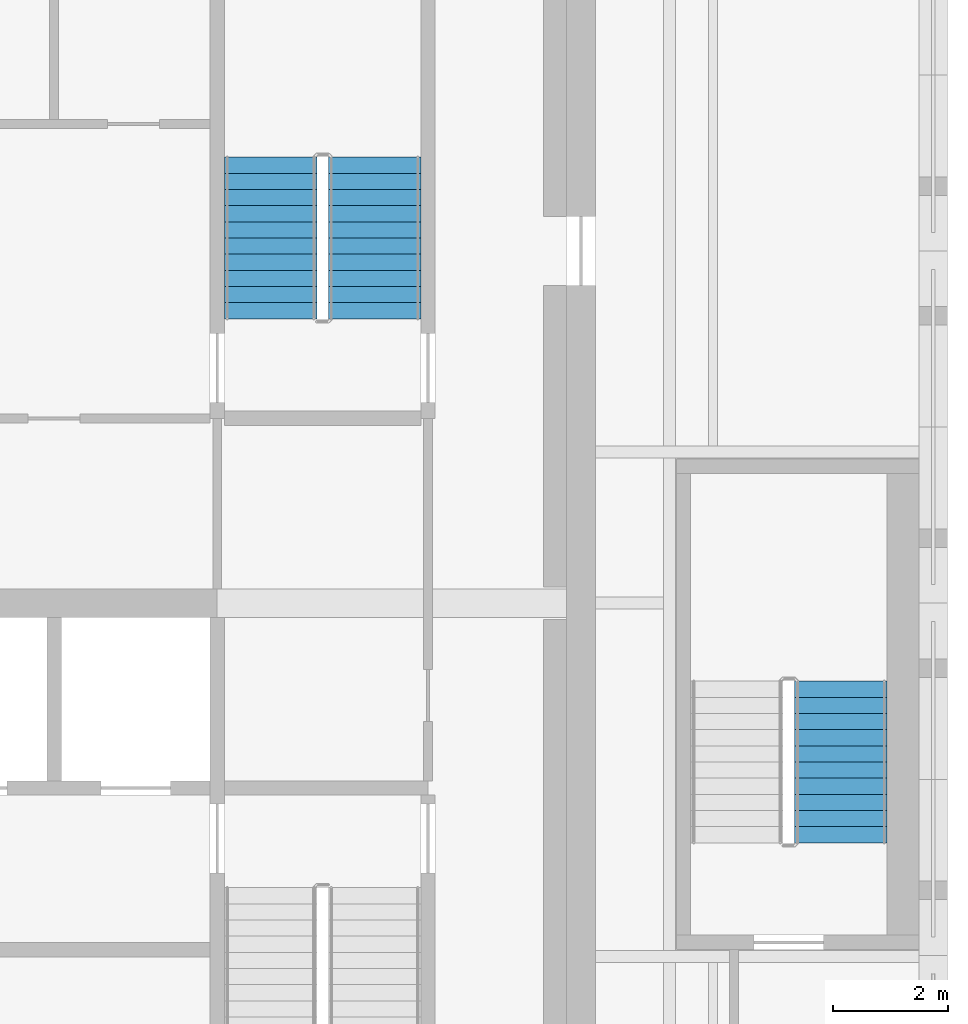
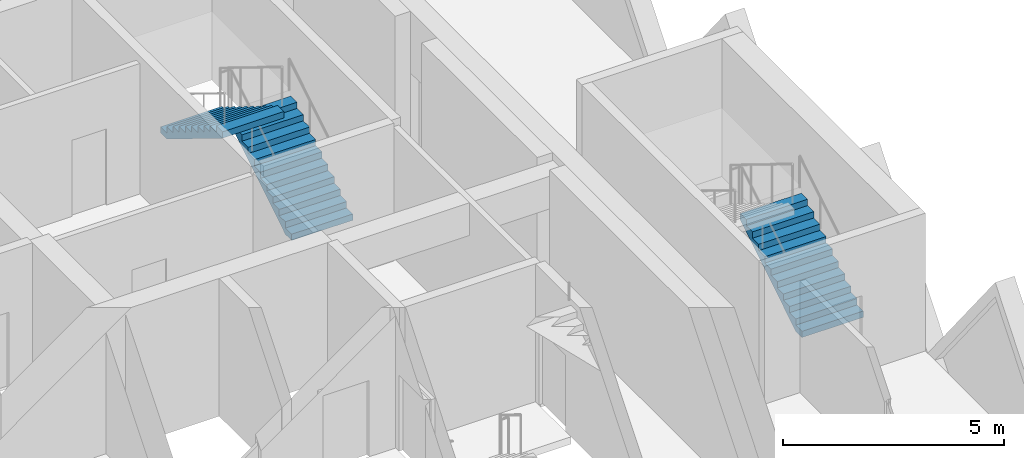
# One storey, part 11 of 12: 3 stair flights, 2 elements without a shape of their own.
"""IFC4 building model written with IfcOpenShell, lengths in metres."""

from ifc_helpers import new_model, si_unit, direction, frame, origin, place, context, subcontext, project, spatial, polyline, outline, extrude, material, type_object, element, aggregate, save


model = new_model("IFC4")

# Units and contexts
model_context = context("Model", 3, precision=1e-05, world=origin(), true_north=direction((0.0, 1.0)))
body_context = subcontext(model_context, "Body", "Model", "MODEL_VIEW")
ifc_project = project(units=[si_unit("LENGTHUNIT", "METRE"), si_unit("AREAUNIT", "SQUARE_METRE"), si_unit("VOLUMEUNIT", "CUBIC_METRE"), si_unit("PLANEANGLEUNIT", "RADIAN"), si_unit("MASSUNIT", "GRAM", prefix="KILO")], contexts=[model_context])

# Site, building, storey
site_placement = place(None, origin())
site = spatial("IfcSite", under=ifc_project, at=site_placement, CompositionType="ELEMENT")
building_placement = place(site_placement, origin())
building = spatial("IfcBuilding", under=site, at=building_placement, Name="Tessera Gate Towers", CompositionType="ELEMENT")
storey_placement = place(building_placement, frame((0.0, 0.0, 220.699951171875)))
storey = spatial("IfcBuildingStorey", under=building, at=storey_placement, Name="L55", CompositionType="ELEMENT", Elevation=220.699951171875)

# Stair, stair flights
ifc_material_1 = material(Name="Concrete C40/50", Category="concrete")
stair_type_1 = type_object("IfcStairType", Name="EXIT STAIR ST2 1600", PredefinedType="HALF_TURN_STAIR", material=ifc_material_1)
stair_1_placement = place(storey_placement, origin())
stair_1 = element("IfcStair", 1, at=stair_1_placement, inside=storey, type_object=stair_type_1, Name="L55 Protected Exit Stair ST2", PredefinedType="HALF_TURN_STAIR")
ifc_material_2 = material(Name="Concrete C40/50", Category="concrete")
stair_flight_type_1 = type_object("IfcStairFlightType", Name="EXIT STAIR FLIGHT ST2 1600", PredefinedType="STRAIGHT", material=ifc_material_2)
stair_flight_1_placement = place(storey_placement, frame((51.074951171875, 41.52490234375, 0.0), z_axis=(0.0, 0.0, 1.0), x_axis=(0.0, 1.0, 0.0)))
stair_flight_1 = element("IfcStairFlight", 2, at=stair_flight_1_placement, type_object=stair_flight_type_1, Name="ST2 flight 1", NumberOfRisers=11, NumberOfTreads=10, PredefinedType="STRAIGHT", RiserHeight=0.172727273, TreadLength=0.28, context=body_context, shape_type="SweptSolid", body=[
    extrude(outline(polyline([(0.0, 0.0), (0.0, 0.172607421875), (0.280029296875, 0.172607421875), (0.280029296875, 0.345458984375), (0.56005859375, 0.345458984375), (0.56005859375, 0.51806640625), (0.840087890625, 0.51806640625), (0.840087890625, 0.69091796875), (1.1201171875, 0.69091796875), (1.1201171875, 0.863525390625), (1.39990234375, 0.863525390625), (1.39990234375, 1.036376953125), (1.679931640625, 1.036376953125), (1.679931640625, 1.208984375), (1.9599609375, 1.208984375), (1.9599609375, 1.3818359375), (2.239990234375, 1.3818359375), (2.239990234375, 1.554443359375), (2.52001953125, 1.554443359375), (2.52001953125, 1.727294921875), (2.800048828125, 1.727294921875), (2.800048828125, 1.89990234375), (2.800048828125, 1.551025390625), (0.285400390625, 0.0), (0.0, 0.0)])), frame((0.0, 0.800048828125, 0.0), z_axis=(0.0, -1.0, 0.0), x_axis=(1.0, 0.0, 0.0)), (0.0, 0.0, 1.0), 1.60009765625),
])
stair_flight_2_placement = place(storey_placement, frame((49.27490234375, 44.324951171875, 1.900146484375), z_axis=(0.0, 0.0, 1.0), x_axis=(0.0, -1.0, 0.0)))
stair_flight_2 = element("IfcStairFlight", 3, at=stair_flight_2_placement, type_object=stair_flight_type_1, Name="ST2 flight 2", NumberOfRisers=11, NumberOfTreads=10, PredefinedType="STRAIGHT", RiserHeight=0.172727273, TreadLength=0.28, context=body_context, shape_type="SweptSolid", body=[
    extrude(outline(polyline([(0.0, 0.0), (0.0, 0.172607421875), (0.280029296875, 0.172607421875), (0.280029296875, 0.345458984375), (0.56005859375, 0.345458984375), (0.56005859375, 0.51806640625), (0.840087890625, 0.51806640625), (0.840087890625, 0.69091796875), (1.1201171875, 0.69091796875), (1.1201171875, 0.863525390625), (1.39990234375, 0.863525390625), (1.39990234375, 1.036376953125), (1.679931640625, 1.036376953125), (1.679931640625, 1.208984375), (1.9599609375, 1.208984375), (1.9599609375, 1.3818359375), (2.239990234375, 1.3818359375), (2.239990234375, 1.554443359375), (2.52001953125, 1.554443359375), (2.52001953125, 1.727294921875), (2.800048828125, 1.727294921875), (2.800048828125, 1.89990234375), (2.800048828125, 1.551025390625), (0.285400390625, 0.0), (0.0, 0.0)])), frame((0.0, 0.800048828125, 0.0), z_axis=(0.0, -1.0, 0.0), x_axis=(1.0, 0.0, 0.0)), (0.0, 0.0, 1.0), 1.60009765625),
])
aggregate(stair_1, [stair_flight_1, stair_flight_2])

# Stair, stair flight
ifc_material_3 = material(Name="Concrete C40/50", Category="concrete")
stair_type_2 = type_object("IfcStairType", Name="EXIT STAIR ST5 1600", PredefinedType="HALF_TURN_STAIR", material=ifc_material_3)
stair_2_placement = place(storey_placement, origin())
stair_2 = element("IfcStair", 4, at=stair_2_placement, inside=storey, type_object=stair_type_2, Name="L55 East Exit Stair ST5", PredefinedType="HALF_TURN_STAIR")
ifc_material_4 = material(Name="Concrete C40/50", Category="concrete")
stair_flight_type_2 = type_object("IfcStairFlightType", Name="EXIT STAIR FLIGHT ST5 1600", PredefinedType="STRAIGHT", material=ifc_material_4)
stair_flight_3_placement = place(storey_placement, frame((59.14990234375, 32.449951171875, 0.0), z_axis=(0.0, 0.0, 1.0), x_axis=(0.0, 1.0, 0.0)))
stair_flight_3 = element("IfcStairFlight", 5, at=stair_flight_3_placement, type_object=stair_flight_type_2, Name="ST5 flight 1", NumberOfRisers=11, NumberOfTreads=10, PredefinedType="STRAIGHT", RiserHeight=0.172727273, TreadLength=0.28, context=body_context, shape_type="SweptSolid", body=[
    extrude(outline(polyline([(0.0, 0.0), (0.0, 0.172607421875), (0.280029296875, 0.172607421875), (0.280029296875, 0.345458984375), (0.56005859375, 0.345458984375), (0.56005859375, 0.51806640625), (0.840087890625, 0.51806640625), (0.840087890625, 0.69091796875), (1.1201171875, 0.69091796875), (1.1201171875, 0.863525390625), (1.39990234375, 0.863525390625), (1.39990234375, 1.036376953125), (1.679931640625, 1.036376953125), (1.679931640625, 1.208984375), (1.9599609375, 1.208984375), (1.9599609375, 1.3818359375), (2.239990234375, 1.3818359375), (2.239990234375, 1.554443359375), (2.52001953125, 1.554443359375), (2.52001953125, 1.727294921875), (2.800048828125, 1.727294921875), (2.800048828125, 1.89990234375), (2.800048828125, 1.551025390625), (0.285400390625, 0.0), (0.0, 0.0)])), frame((0.0, 0.800048828125, 0.0), z_axis=(0.0, -1.0, 0.0), x_axis=(1.0, 0.0, 0.0)), (0.0, 0.0, 1.0), 1.60009765625),
])
aggregate(stair_2, [stair_flight_3])

save(model, "model.ifc")
